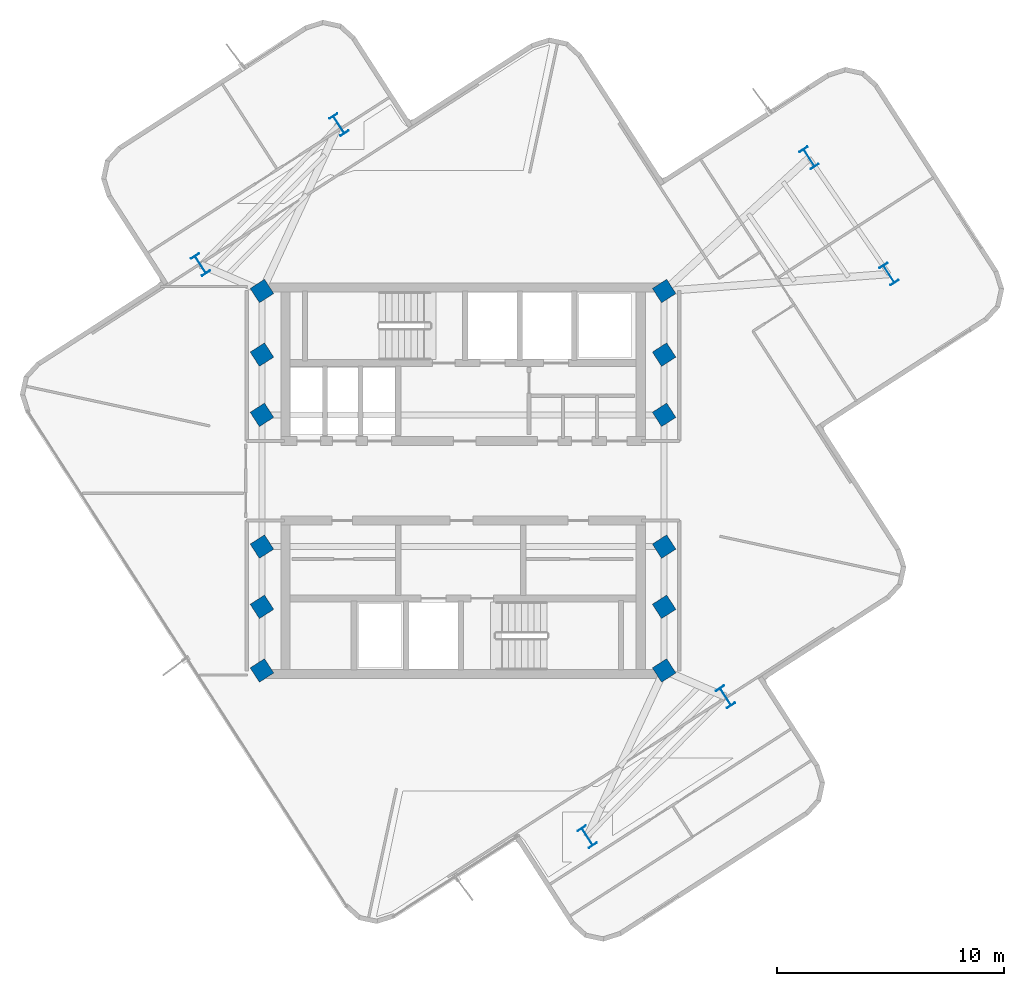
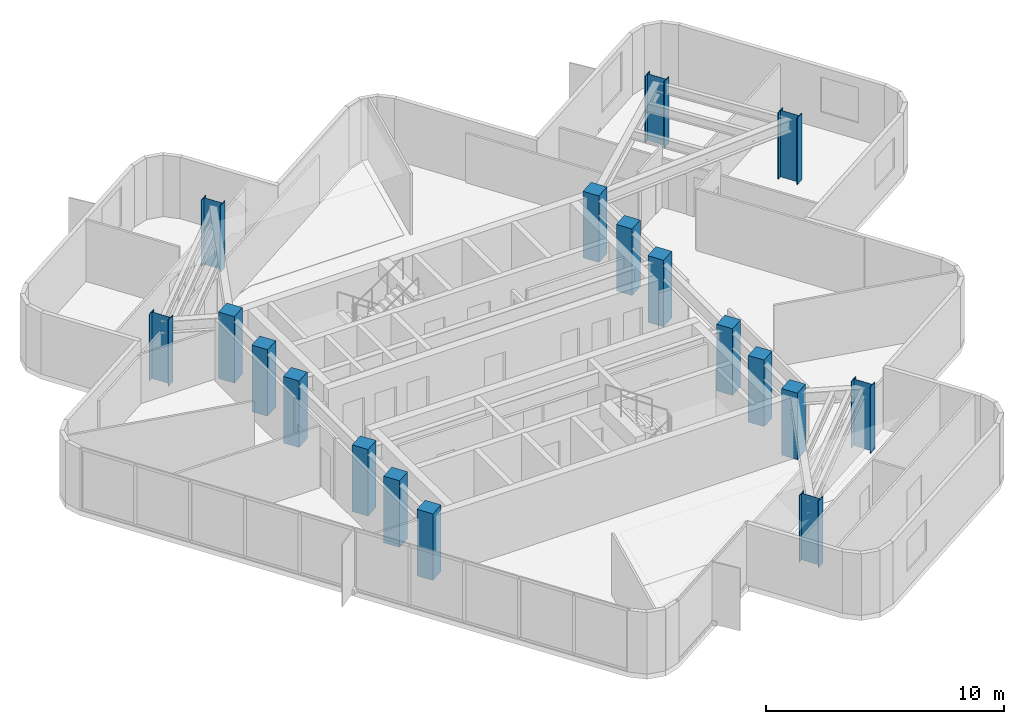
# One storey, part 1 of 9: 18 columns.
"""IFC4 building model written with IfcOpenShell, lengths in metres."""

from ifc_helpers import new_model, si_unit, direction, frame, origin, origin_2d, place, context, subcontext, project, spatial, rectangle, i_section, extrude, material, material_profile, profile_set, type_object, element, save


model = new_model("IFC4")

# Units and contexts
model_context = context("Model", 3, precision=1e-05, world=origin(), true_north=direction((0.0, 1.0)))
body_context = subcontext(model_context, "Body", "Model", "MODEL_VIEW")
ifc_project = project(units=[si_unit("LENGTHUNIT", "METRE"), si_unit("AREAUNIT", "SQUARE_METRE"), si_unit("VOLUMEUNIT", "CUBIC_METRE"), si_unit("PLANEANGLEUNIT", "RADIAN"), si_unit("MASSUNIT", "GRAM", prefix="KILO")], contexts=[model_context])

# Site, building, storey
site_placement = place(None, origin())
site = spatial("IfcSite", under=ifc_project, at=site_placement, CompositionType="ELEMENT")
building_placement = place(site_placement, origin())
building = spatial("IfcBuilding", under=site, at=building_placement, Name="Solmarez Civic Tower", CompositionType="ELEMENT")
storey_placement = place(building_placement, frame((0.0, 0.0, 215.4599609375)))
storey = spatial("IfcBuildingStorey", under=building, at=storey_placement, Name="L57", CompositionType="ELEMENT", Elevation=215.4599609375)

# Columns
ifc_material_1 = material(Name="Concrete C50/60", Category="concrete")
ifc_material_profile_1 = material_profile(ifc_material_1, rectangle(XDim=0.75, YDim=0.75, at=origin_2d()), Name="RC750X750")
ifc_profile_set_1 = profile_set([ifc_material_profile_1], Name="Concrete C50/60")
column_type_1 = type_object("IfcColumnType", Name="COL-RC750", PredefinedType="COLUMN", material=ifc_profile_set_1)
for number, where, z_axis, x_axis, name in (
    (1, (-8.85009765625, -5.550048828125, 0.0), (0.0, 0.0, 1.0), (0.840566603496, 0.541708210283, 0.0), "L57 Structural Column HC1"),
    (2, (-8.85009765625, -2.89990234375, 0.0), (0.0, 0.0, 1.0), (0.840566603496, 0.541708210283, 0.0), "L57 Structural Column HC2"),
    (3, (-8.85009765625, 2.89990234375, 0.0), (0.0, 0.0, 1.0), (0.840566603496, 0.541708210283, 0.0), "L57 Structural Column HC3"),
    (4, (-8.85009765625, 5.550048828125, 0.0), (0.0, 0.0, 1.0), (0.840566603496, 0.541708210283, 0.0), "L57 Structural Column HC4"),
    (5, (8.85009765625, -5.550048828125, 0.0), (0.0, 0.0, 1.0), (0.840566603496, 0.541708210283, 0.0), "L57 Structural Column HC5"),
    (6, (8.85009765625, -2.89990234375, 0.0), (0.0, 0.0, 1.0), (0.840566603496, 0.541708210283, 0.0), "L57 Structural Column HC6"),
    (7, (8.85009765625, 2.89990234375, 0.0), (0.0, 0.0, 1.0), (0.840566603496, 0.541708210283, 0.0), "L57 Structural Column HC7"),
    (8, (8.85009765625, 5.550048828125, 0.0), (0.0, 0.0, 1.0), (0.840566603496, 0.541708210283, 0.0), "L57 Structural Column HC8"),
    (9, (-8.85009765625, 8.35009765625, 0.0), (0.0, 0.0, 1.0), (0.840566603496, 0.541708210283, 0.0), "L57 Structural Column HC9"),
    (10, (8.85009765625, -8.35009765625, 0.0), (0.0, 0.0, 1.0), (0.840566603496, 0.541708210283, 0.0), "L57 Structural Column HC10"),
    (11, (8.85009765625, 8.35009765625, 0.0), (0.0, 0.0, 1.0), (0.840566603496, 0.541708210283, 0.0), "L57 Structural Column HC11"),
    (12, (-8.85009765625, -8.35009765625, 0.0), (0.0, 0.0, 1.0), (0.840566603496, 0.541708210283, 0.0), "L57 Structural Column HC12"),
):
    element("IfcColumn", number, at=place(storey_placement, frame(where, z_axis=z_axis, x_axis=x_axis)), inside=storey, type_object=column_type_1, Name=name, PredefinedType="COLUMN", context=body_context, shape_type="SweptSolid", body=[
        extrude(rectangle(XDim=0.75, YDim=0.75, at=origin_2d()), origin(), (0.0, 0.0, 1.0), 3.419921875),
    ])
ifc_material_2 = material(Name="Steel S355", Category="steel")
ifc_material_profile_2 = material_profile(ifc_material_2, i_section(OverallWidth=0.41796875, OverallDepth=0.927001953125, WebThickness=0.019287109375, FlangeThickness=0.031982421875, at=origin_2d()), Name="W36X231")
ifc_profile_set_2 = profile_set([ifc_material_profile_2], Name="Steel S355")
column_type_2 = type_object("IfcColumnType", Name="COL-W36X231", PredefinedType="COLUMN", material=ifc_profile_set_2)
for number, where, z_axis, x_axis, name in (
    (13, (18.740966796875, 9.096923828125, 0.0), (0.0, 0.0, 1.0), (0.840566603496, 0.541708210283, 0.0), "L57 Structural Column EA11"),
    (14, (15.23388671875, 14.208984375, 0.0), (0.0, 0.0, 1.0), (0.840566603496, 0.541708210283, 0.0), "L57 Structural Column EA12"),
    (15, (-5.468017578125, 15.6708984375, 0.0), (0.0, 0.0, 1.0), (0.840566603496, 0.541708210283, 0.0), "L57 Structural Column NA11"),
    (16, (-11.553955078125, 9.510009765625, 0.0), (0.0, 0.0, 1.0), (0.840566603496, 0.541708210283, 0.0), "L57 Structural Column NA12"),
    (17, (5.468017578125, -15.6708984375, 0.0), (0.0, 0.0, 1.0), (0.840566603496, 0.541708210283, 0.0), "L57 Structural Column SA11"),
    (18, (11.553955078125, -9.510009765625, 0.0), (0.0, 0.0, 1.0), (0.840566603496, 0.541708210283, 0.0), "L57 Structural Column SA12"),
):
    element("IfcColumn", number, at=place(storey_placement, frame(where, z_axis=z_axis, x_axis=x_axis)), inside=storey, type_object=column_type_2, Name=name, PredefinedType="COLUMN", context=body_context, shape_type="SweptSolid", body=[
        extrude(i_section(OverallWidth=0.41796875, OverallDepth=0.927001953125, WebThickness=0.019287109375, FlangeThickness=0.031982421875, at=origin_2d()), origin(), (0.0, 0.0, 1.0), 3.419921875),
    ])

save(model, "model.ifc")
